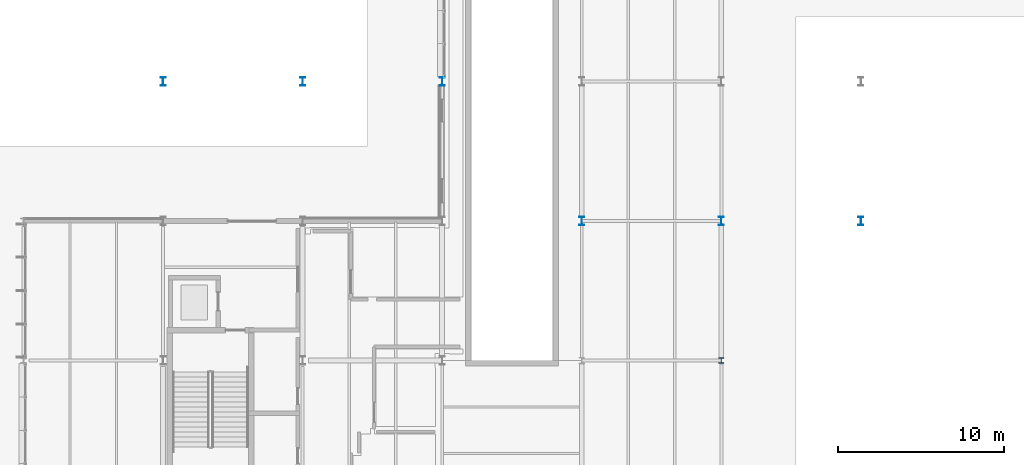
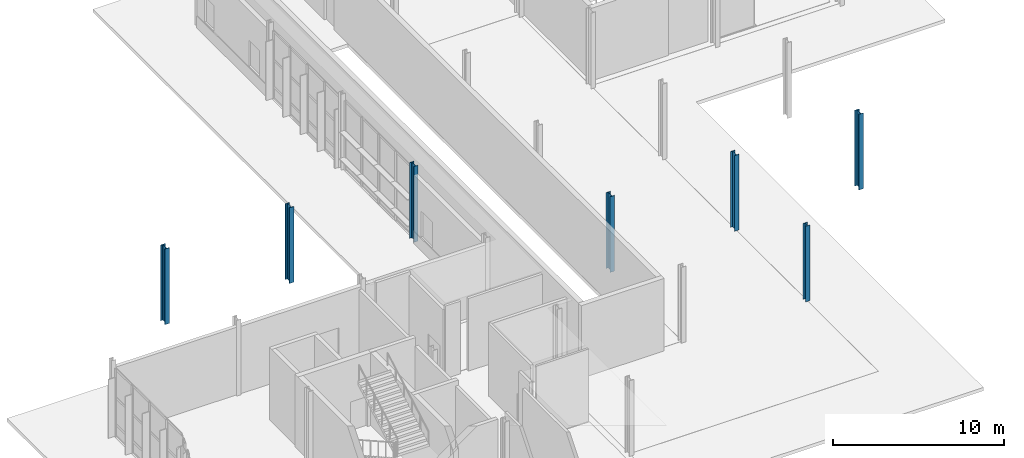
# One storey, part 9 of 124: 7 columns.
"""IFC4 building model written with IfcOpenShell, lengths in metres."""

from ifc_helpers import new_model, si_unit, direction, frame, origin, origin_2d, place, context, subcontext, project, spatial, i_section, extrude, material, material_profile, profile_set, type_object, element, save


model = new_model("IFC4")

# Units and contexts
model_context = context("Model", 3, precision=1e-05, world=origin(), true_north=direction((0.0, 1.0)))
body_context = subcontext(model_context, "Body", "Model", "MODEL_VIEW")
ifc_project = project(units=[si_unit("LENGTHUNIT", "METRE"), si_unit("AREAUNIT", "SQUARE_METRE"), si_unit("VOLUMEUNIT", "CUBIC_METRE"), si_unit("PLANEANGLEUNIT", "RADIAN"), si_unit("MASSUNIT", "GRAM", prefix="KILO")], contexts=[model_context])

# Site, building, storey
site_placement = place(None, origin())
site = spatial("IfcSite", under=ifc_project, at=site_placement, CompositionType="ELEMENT")
building_placement = place(site_placement, origin())
building = spatial("IfcBuilding", under=site, at=building_placement, Name="Mersafa Astral City Hall", CompositionType="ELEMENT")
storey_placement = place(building_placement, origin())
storey = spatial("IfcBuildingStorey", under=building, at=storey_placement, Name="L00", CompositionType="ELEMENT", Elevation=0.0)

# Columns
ifc_material = material(Name="Steel S355", Category="steel")
ifc_material_profile_1 = material_profile(ifc_material, i_section(OverallWidth=0.300048828125, OverallDepth=0.340087890625, WebThickness=0.011962890625, FlangeThickness=0.021484375, FilletRadius=0.027099609375, at=origin_2d()), Name="HEB 340")
ifc_profile_set_1 = profile_set([ifc_material_profile_1], Name="Steel S355")
column_type_1 = type_object("IfcColumnType", Name="STR-COL-HEB340", PredefinedType="COLUMN", material=ifc_profile_set_1)
column_placement = place(storey_placement, frame((42.0, 84.0, 0.0), z_axis=(0.0, 0.0, 1.0), x_axis=(1.0, 0.0, 0.0)))
element("IfcColumn", 1, at=column_placement, inside=storey, type_object=column_type_1, Name="L00 Structural column G-05-10", PredefinedType="COLUMN", context=body_context, shape_type="SweptSolid", body=[
    extrude(i_section(OverallWidth=0.300048828125, OverallDepth=0.340087890625, WebThickness=0.011962890625, FlangeThickness=0.021484375, FilletRadius=0.027099609375, at=origin_2d()), origin(), (0.0, 0.0, 1.0), 5.39990234375),
])
ifc_material_profile_2 = material_profile(ifc_material, i_section(OverallWidth=0.300048828125, OverallDepth=0.5, WebThickness=0.014404296875, FlangeThickness=0.028076171875, FilletRadius=0.027099609375, at=origin_2d()), Name="HEB 500")
ifc_profile_set_2 = profile_set([ifc_material_profile_2], Name="Steel S355")
column_type_2 = type_object("IfcColumnType", Name="STR-COL-HEB500", PredefinedType="COLUMN", material=ifc_profile_set_2)
for number, where, z_axis, x_axis, name in (
    (2, (8.39990234375, 100.800048828125, 0.0), (0.0, 0.0, 1.0), (1.0, 0.0, 0.0), "L00 Structural column G-01-12"),
    (3, (16.800048828125, 100.800048828125, 0.0), (0.0, 0.0, 1.0), (1.0, 0.0, 0.0), "L00 Structural column G-02-12"),
    (4, (25.199951171875, 100.800048828125, 0.0), (0.0, 0.0, 1.0), (1.0, 0.0, 0.0), "L00 Structural column G-03-12"),
    (5, (33.60009765625, 92.39990234375, 0.0), (0.0, 0.0, 1.0), (1.0, 0.0, 0.0), "L00 Structural column G-04-11"),
    (6, (42.0, 92.39990234375, 0.0), (0.0, 0.0, 1.0), (1.0, 0.0, 0.0), "L00 Structural column G-05-11"),
    (7, (50.39990234375, 92.39990234375, 0.0), (0.0, 0.0, 1.0), (1.0, 0.0, 0.0), "L00 Structural column G-06-11"),
):
    element("IfcColumn", number, at=place(storey_placement, frame(where, z_axis=z_axis, x_axis=x_axis)), inside=storey, type_object=column_type_2, Name=name, PredefinedType="COLUMN", context=body_context, shape_type="SweptSolid", body=[
        extrude(i_section(OverallWidth=0.300048828125, OverallDepth=0.5, WebThickness=0.014404296875, FlangeThickness=0.028076171875, FilletRadius=0.027099609375, at=origin_2d()), origin(), (0.0, 0.0, 1.0), 5.39990234375),
    ])

save(model, "model.ifc")
